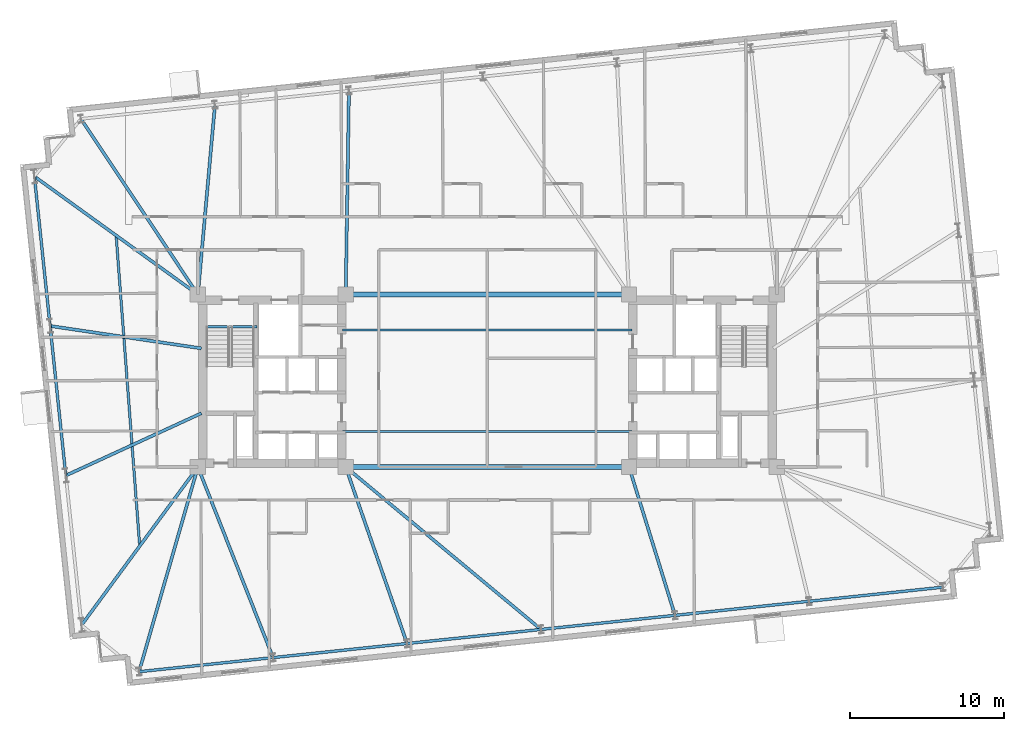
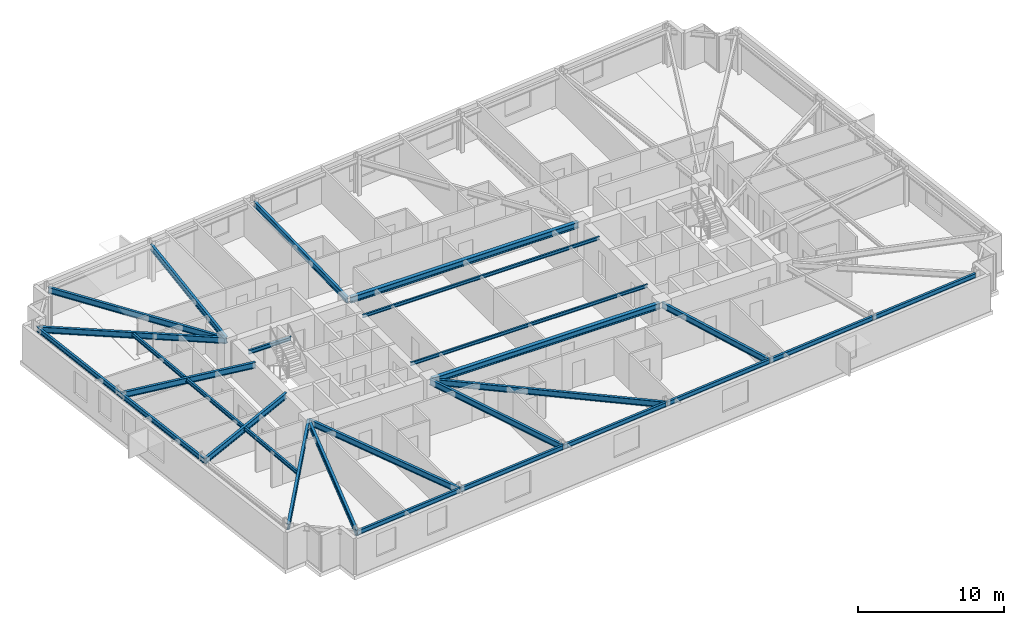
# One storey, part 5 of 19: 26 beams.
"""IFC4 building model written with IfcOpenShell, lengths in metres."""

from ifc_helpers import new_model, si_unit, direction, frame, origin, origin_2d, place, context, subcontext, project, spatial, i_section, extrude, material, material_profile, profile_set, type_object, element, save


model = new_model("IFC4")

# Units and contexts
model_context = context("Model", 3, precision=1e-05, world=origin(), true_north=direction((0.0, 1.0)))
body_context = subcontext(model_context, "Body", "Model", "MODEL_VIEW")
ifc_project = project(units=[si_unit("LENGTHUNIT", "METRE"), si_unit("AREAUNIT", "SQUARE_METRE"), si_unit("VOLUMEUNIT", "CUBIC_METRE"), si_unit("PLANEANGLEUNIT", "RADIAN"), si_unit("MASSUNIT", "GRAM", prefix="KILO")], contexts=[model_context])

# Site, building, storey
site_placement = place(None, origin())
site = spatial("IfcSite", under=ifc_project, at=site_placement, CompositionType="ELEMENT")
building_placement = place(site_placement, origin())
building = spatial("IfcBuilding", under=site, at=building_placement, Name="Qobustan Lattice House", CompositionType="ELEMENT")
storey_placement = place(building_placement, frame((0.0, 0.0, 82.35009765625)))
storey = spatial("IfcBuildingStorey", under=building, at=storey_placement, Name="L22", CompositionType="ELEMENT", Elevation=82.35009765625)

# Beams
ifc_material_1 = material(Name="Steel S355", Category="steel")
ifc_material_profile_1 = material_profile(ifc_material_1, i_section(OverallWidth=0.300048828125, OverallDepth=0.5, WebThickness=0.014404296875, FlangeThickness=0.028076171875, FilletRadius=0.027099609375, at=origin_2d()), Name="HEB500")
ifc_profile_set_1 = profile_set([ifc_material_profile_1], Name="Steel S355")
beam_type_1 = type_object("IfcBeamType", Name="BM-CG-HEB500", PredefinedType="USERDEFINED", material=ifc_profile_set_1)
for number, where, z_axis, x_axis, name in (
    (1, (-9.050048828125, -5.60009765625, 2.794921875), (1.0, 0.0, 0.0), (0.0, 1.0, 0.0), "L22 core spine girder CG-CS"),
    (2, (-9.050048828125, 5.60009765625, 2.794921875), (1.0, 0.0, 0.0), (0.0, 1.0, 0.0), "L22 core spine girder CG-CN"),
):
    element("IfcBeam", number, at=place(storey_placement, frame(where, z_axis=z_axis, x_axis=x_axis)), inside=storey, type_object=beam_type_1, Name=name, ObjectType="GIRDER", PredefinedType="USERDEFINED", context=body_context, shape_type="SweptSolid", body=[
        extrude(i_section(OverallWidth=0.300048828125, OverallDepth=0.5, WebThickness=0.014404296875, FlangeThickness=0.028076171875, FilletRadius=0.027099609375, at=origin_2d()), origin(), (0.0, 0.0, 1.0), 18.10009765625),
    ])
ifc_material_2 = material(Name="Steel S355", Category="steel")
ifc_material_profile_2 = material_profile(ifc_material_2, i_section(OverallWidth=0.199951171875, OverallDepth=0.5, WebThickness=0.01025390625, FlangeThickness=0.01611328125, FilletRadius=0.02099609375, at=origin_2d()), Name="IPE500")
ifc_profile_set_2 = profile_set([ifc_material_profile_2], Name="Steel S355")
beam_type_2 = type_object("IfcBeamType", Name="BM-FLG-IPE500", PredefinedType="USERDEFINED", material=ifc_profile_set_2)
beam_1_placement = place(storey_placement, frame((-22.612548828125, -18.87109375, 2.794921875), z_axis=(0.276115177845, 0.961124554136, 0.0), x_axis=(-0.961124554136, 0.276115177845, 0.0)))
element("IfcBeam", 3, at=beam_1_placement, inside=storey, type_object=beam_type_2, Name="L22 primary floor girder RAD-S1W", ObjectType="GIRDER", PredefinedType="USERDEFINED", context=body_context, shape_type="SweptSolid", body=[
    extrude(i_section(OverallWidth=0.199951171875, OverallDepth=0.5, WebThickness=0.01025390625, FlangeThickness=0.01611328125, FilletRadius=0.02099609375, at=origin_2d()), origin(), (0.0, 0.0, 1.0), 13.782958984375),
])
beam_2_placement = place(storey_placement, frame((-13.926513671875, -17.95703125, 2.794921875), z_axis=(-0.366884358141, 0.930266557365, 0.0), x_axis=(-0.930266557365, -0.366884358141, 0.0)))
element("IfcBeam", 4, at=beam_2_placement, inside=storey, type_object=beam_type_2, Name="L22 primary floor girder RAD-S2", ObjectType="GIRDER", PredefinedType="USERDEFINED", context=body_context, shape_type="SweptSolid", body=[
    extrude(i_section(OverallWidth=0.199951171875, OverallDepth=0.5, WebThickness=0.01025390625, FlangeThickness=0.01611328125, FilletRadius=0.02099609375, at=origin_2d()), origin(), (0.0, 0.0, 1.0), 13.25830078125),
])
beam_3_placement = place(storey_placement, frame((-5.223388671875, -17.0419921875, 2.794921875), z_axis=(-0.328289533586, 0.94457714462, 0.0), x_axis=(-0.94457714462, -0.328289533586, 0.0)))
element("IfcBeam", 5, at=beam_3_placement, inside=storey, type_object=beam_type_2, Name="L22 primary floor girder RAD-S3", ObjectType="GIRDER", PredefinedType="USERDEFINED", context=body_context, shape_type="SweptSolid", body=[
    extrude(i_section(OverallWidth=0.199951171875, OverallDepth=0.5, WebThickness=0.01025390625, FlangeThickness=0.01611328125, FilletRadius=0.02099609375, at=origin_2d()), origin(), (0.0, 0.0, 1.0), 12.08837890625),
])
beam_4_placement = place(storey_placement, frame((3.467529296875, -16.135009765625, 2.794921875), z_axis=(-0.768858311844, 0.639419186691, 0.0), x_axis=(-0.639419186691, -0.768858311844, 0.0)))
element("IfcBeam", 6, at=beam_4_placement, inside=storey, type_object=beam_type_2, Name="L22 primary floor girder RAD-S4", ObjectType="GIRDER", PredefinedType="USERDEFINED", context=body_context, shape_type="SweptSolid", body=[
    extrude(i_section(OverallWidth=0.199951171875, OverallDepth=0.5, WebThickness=0.01025390625, FlangeThickness=0.01611328125, FilletRadius=0.02099609375, at=origin_2d()), origin(), (0.0, 0.0, 1.0), 16.450927734375),
])
beam_5_placement = place(storey_placement, frame((12.181396484375, -15.212646484375, 2.794921875), z_axis=(-0.296219460995, 0.955119903953, 0.0), x_axis=(-0.955119903953, -0.296219460995, 0.0)))
element("IfcBeam", 7, at=beam_5_placement, inside=storey, type_object=beam_type_2, Name="L22 primary floor girder RAD-S5", ObjectType="GIRDER", PredefinedType="USERDEFINED", context=body_context, shape_type="SweptSolid", body=[
    extrude(i_section(OverallWidth=0.199951171875, OverallDepth=0.5, WebThickness=0.01025390625, FlangeThickness=0.01611328125, FilletRadius=0.02099609375, at=origin_2d()), origin(), (0.0, 0.0, 1.0), 10.03955078125),
])
beam_6_placement = place(storey_placement, frame((-26.37890625, 16.986328125, 2.794921875), z_axis=(0.5540893103, -0.832457227857, 0.0), x_axis=(0.832457227857, 0.5540893103, 0.0)))
element("IfcBeam", 8, at=beam_6_placement, inside=storey, type_object=beam_type_2, Name="L22 primary floor girder RAD-N7W", ObjectType="GIRDER", PredefinedType="USERDEFINED", context=body_context, shape_type="SweptSolid", body=[
    extrude(i_section(OverallWidth=0.199951171875, OverallDepth=0.5, WebThickness=0.01025390625, FlangeThickness=0.01611328125, FilletRadius=0.02099609375, at=origin_2d()), origin(), (0.0, 0.0, 1.0), 13.65283203125),
])
beam_7_placement = place(storey_placement, frame((-17.693115234375, 17.89697265625, 2.794921875), z_axis=(-0.089658533603, -0.995972563554, 0.0), x_axis=(0.995972563554, -0.089658533603, 0.0)))
element("IfcBeam", 9, at=beam_7_placement, inside=storey, type_object=beam_type_2, Name="L22 primary floor girder RAD-N6", ObjectType="GIRDER", PredefinedType="USERDEFINED", context=body_context, shape_type="SweptSolid", body=[
    extrude(i_section(OverallWidth=0.199951171875, OverallDepth=0.5, WebThickness=0.01025390625, FlangeThickness=0.01611328125, FilletRadius=0.02099609375, at=origin_2d()), origin(), (0.0, 0.0, 1.0), 12.321533203125),
])
beam_8_placement = place(storey_placement, frame((-8.9892578125, 18.8115234375, 2.794921875), z_axis=(-0.015957384359, -0.999872672836, 0.0), x_axis=(0.999872672836, -0.015957384359, 0.0)))
element("IfcBeam", 10, at=beam_8_placement, inside=storey, type_object=beam_type_2, Name="L22 primary floor girder RAD-N5", ObjectType="GIRDER", PredefinedType="USERDEFINED", context=body_context, shape_type="SweptSolid", body=[
    extrude(i_section(OverallWidth=0.199951171875, OverallDepth=0.5, WebThickness=0.01025390625, FlangeThickness=0.01611328125, FilletRadius=0.02099609375, at=origin_2d()), origin(), (0.0, 0.0, 1.0), 13.188232421875),
])
beam_9_placement = place(storey_placement, frame((-29.398681640625, 13.255859375, 2.794921875), z_axis=(0.810627425394, -0.585562274399, 0.0), x_axis=(0.585562274399, 0.810627425394, 0.0)))
element("IfcBeam", 11, at=beam_9_placement, inside=storey, type_object=beam_type_2, Name="L22 primary floor girder RAD-W1", ObjectType="GIRDER", PredefinedType="USERDEFINED", context=body_context, shape_type="SweptSolid", body=[
    extrude(i_section(OverallWidth=0.199951171875, OverallDepth=0.5, WebThickness=0.01025390625, FlangeThickness=0.01611328125, FilletRadius=0.02099609375, at=origin_2d()), origin(), (0.0, 0.0, 1.0), 13.049560546875),
])
beam_10_placement = place(storey_placement, frame((-28.373291015625, 3.5537109375, 2.794921875), z_axis=(0.989228195022, -0.146381618294, 0.0), x_axis=(0.146381618294, 0.989228195022, 0.0)))
element("IfcBeam", 12, at=beam_10_placement, inside=storey, type_object=beam_type_2, Name="L22 primary floor girder RAD-W2", ObjectType="GIRDER", PredefinedType="USERDEFINED", context=body_context, shape_type="SweptSolid", body=[
    extrude(i_section(OverallWidth=0.199951171875, OverallDepth=0.5, WebThickness=0.01025390625, FlangeThickness=0.01611328125, FilletRadius=0.02099609375, at=origin_2d()), origin(), (0.0, 0.0, 1.0), 9.9052734375),
])
beam_11_placement = place(storey_placement, frame((-27.3544921875, -6.1455078125, 2.794921875), z_axis=(0.908664928826, 0.417526103521, 0.0), x_axis=(-0.417526103521, 0.908664928826, 0.0)))
element("IfcBeam", 13, at=beam_11_placement, inside=storey, type_object=beam_type_2, Name="L22 primary floor girder RAD-W3", ObjectType="GIRDER", PredefinedType="USERDEFINED", context=body_context, shape_type="SweptSolid", body=[
    extrude(i_section(OverallWidth=0.199951171875, OverallDepth=0.5, WebThickness=0.01025390625, FlangeThickness=0.01611328125, FilletRadius=0.02099609375, at=origin_2d()), origin(), (0.0, 0.0, 1.0), 9.66455078125),
])
beam_12_placement = place(storey_placement, frame((-26.34130859375, -15.848876953125, 2.794921875), z_axis=(0.592669703312, 0.805445605101, 0.0), x_axis=(-0.805445605101, 0.592669703312, 0.0)))
element("IfcBeam", 14, at=beam_12_placement, inside=storey, type_object=beam_type_2, Name="L22 primary floor girder RAD-W4", ObjectType="GIRDER", PredefinedType="USERDEFINED", context=body_context, shape_type="SweptSolid", body=[
    extrude(i_section(OverallWidth=0.199951171875, OverallDepth=0.5, WebThickness=0.01025390625, FlangeThickness=0.01611328125, FilletRadius=0.02099609375, at=origin_2d()), origin(), (0.0, 0.0, 1.0), 12.699462890625),
])
ifc_material_3 = material(Name="Steel S355", Category="steel")
ifc_material_profile_3 = material_profile(ifc_material_3, i_section(OverallWidth=0.135009765625, OverallDepth=0.27001953125, WebThickness=0.006591796875, FlangeThickness=0.01025390625, FilletRadius=0.014892578125, at=origin_2d()), Name="IPE270")
ifc_profile_set_3 = profile_set([ifc_material_profile_3], Name="Steel S355")
beam_type_3 = type_object("IfcBeamType", Name="BM-JST-IPE270", PredefinedType="JOIST", material=ifc_profile_set_3)
for number, where, z_axis, x_axis, name in (
    (15, (-9.39990234375, -3.300048828125, 2.909912109375), (1.0, 0.0, 0.0), (0.0, 1.0, 0.0), "L22 central span floor joist 1"),
    (16, (-9.39990234375, 3.300048828125, 2.909912109375), (1.0, 0.0, 0.0), (0.0, 1.0, 0.0), "L22 central span floor joist 2"),
):
    element("IfcBeam", number, at=place(storey_placement, frame(where, z_axis=z_axis, x_axis=x_axis)), inside=storey, type_object=beam_type_3, Name=name, PredefinedType="JOIST", context=body_context, shape_type="SweptSolid", body=[
        extrude(i_section(OverallWidth=0.135009765625, OverallDepth=0.27001953125, WebThickness=0.006591796875, FlangeThickness=0.01025390625, FilletRadius=0.014892578125, at=origin_2d()), origin(), (0.0, 0.0, 1.0), 18.7998046875),
    ])
ifc_material_4 = material(Name="Steel S355", Category="steel")
ifc_material_profile_4 = material_profile(ifc_material_4, i_section(OverallWidth=0.159912109375, OverallDepth=0.330078125, WebThickness=0.007568359375, FlangeThickness=0.011474609375, FilletRadius=0.01806640625, at=origin_2d()), Name="IPE330")
ifc_profile_set_4 = profile_set([ifc_material_profile_4], Name="Steel S355")
beam_type_4 = type_object("IfcBeamType", Name="BM-SEC-IPE330", PredefinedType="BEAM", material=ifc_profile_set_4)
beam_13_placement = place(storey_placement, frame((-24.109619140625, 9.435302734375, 2.8798828125), z_axis=(0.07571166528, -0.997129752711, 0.0), x_axis=(0.997129752711, 0.07571166528, 0.0)))
element("IfcBeam", 17, at=beam_13_placement, inside=storey, type_object=beam_type_4, Name="L22 west wing secondary beam", PredefinedType="BEAM", context=body_context, shape_type="SweptSolid", body=[
    extrude(i_section(OverallWidth=0.159912109375, OverallDepth=0.330078125, WebThickness=0.007568359375, FlangeThickness=0.011474609375, FilletRadius=0.01806640625, at=origin_2d()), origin(), (0.0, 0.0, 1.0), 20.22802734375),
])
ifc_material_5 = material(Name="Steel S355", Category="steel")
ifc_material_profile_5 = material_profile(ifc_material_5, i_section(OverallWidth=0.159912109375, OverallDepth=0.330078125, WebThickness=0.007568359375, FlangeThickness=0.011474609375, FilletRadius=0.01806640625, at=origin_2d()), Name="IPE330")
ifc_profile_set_5 = profile_set([ifc_material_profile_5], Name="Steel S355")
beam_type_5 = type_object("IfcBeamType", Name="BM-SPD-IPE330", PredefinedType="SPANDREL", material=ifc_profile_set_5)
beam_14_placement = place(storey_placement, frame((-18.300048828125, 3.52001953125, 2.8798828125), z_axis=(1.0, 0.0, 0.0), x_axis=(0.0, 1.0, 0.0)))
element("IfcBeam", 18, at=beam_14_placement, inside=storey, type_object=beam_type_5, Name="L22 west stair landing trimmer beam", PredefinedType="SPANDREL", context=body_context, shape_type="SweptSolid", body=[
    extrude(i_section(OverallWidth=0.159912109375, OverallDepth=0.330078125, WebThickness=0.007568359375, FlangeThickness=0.011474609375, FilletRadius=0.01806640625, at=origin_2d()), origin(), (0.0, 0.0, 1.0), 3.35009765625),
])
ifc_material_6 = material(Name="Steel S355", Category="steel")
ifc_material_profile_6 = material_profile(ifc_material_6, i_section(OverallWidth=0.179931640625, OverallDepth=0.39990234375, WebThickness=0.008544921875, FlangeThickness=0.013427734375, FilletRadius=0.02099609375, at=origin_2d()), Name="IPE400")
ifc_profile_set_6 = profile_set([ifc_material_profile_6], Name="Steel S355")
beam_type_6 = type_object("IfcBeamType", Name="BM-SPD-IPE400", PredefinedType="SPANDREL", material=ifc_profile_set_6)
beam_15_placement = place(storey_placement, frame((-22.594482421875, -18.892333984375, 2.844970703125), z_axis=(0.994521279781, 0.10453432002, 0.0), x_axis=(-0.10453432002, 0.994521279781, 0.0)))
element("IfcBeam", 19, at=beam_15_placement, inside=storey, type_object=beam_type_6, Name="L22 perimeter spandrel S1-S2", PredefinedType="SPANDREL", context=body_context, shape_type="SweptSolid", body=[
    extrude(i_section(OverallWidth=0.179931640625, OverallDepth=0.39990234375, WebThickness=0.008544921875, FlangeThickness=0.013427734375, FilletRadius=0.02099609375, at=origin_2d()), origin(), (0.0, 0.0, 1.0), 8.69970703125),
])
for number, where, z_axis, x_axis, name in (
    (20, (-13.892578125, -17.977783203125, 2.844970703125), (0.994521586424, 0.104531402636, 0.0), (-0.104531402636, 0.994521586424, 0.0), "L22 perimeter spandrel S2-S3"),
    (21, (-5.1904296875, -17.06298828125, 2.844970703125), (0.994524503348, 0.104503647022, 0.0), (-0.104503647022, 0.994524503348, 0.0), "L22 perimeter spandrel S3-S4"),
):
    element("IfcBeam", number, at=place(storey_placement, frame(where, z_axis=z_axis, x_axis=x_axis)), inside=storey, type_object=beam_type_6, Name=name, PredefinedType="SPANDREL", context=body_context, shape_type="SweptSolid", body=[
        extrude(i_section(OverallWidth=0.179931640625, OverallDepth=0.39990234375, WebThickness=0.008544921875, FlangeThickness=0.013427734375, FilletRadius=0.02099609375, at=origin_2d()), origin(), (0.0, 0.0, 1.0), 8.699951171875),
    ])
beam_16_placement = place(storey_placement, frame((3.51171875, -16.1484375, 2.844970703125), z_axis=(0.994521279781, 0.10453432002, 0.0), x_axis=(-0.10453432002, 0.994521279781, 0.0)))
element("IfcBeam", 22, at=beam_16_placement, inside=storey, type_object=beam_type_6, Name="L22 perimeter spandrel S4-S5", PredefinedType="SPANDREL", context=body_context, shape_type="SweptSolid", body=[
    extrude(i_section(OverallWidth=0.179931640625, OverallDepth=0.39990234375, WebThickness=0.008544921875, FlangeThickness=0.013427734375, FilletRadius=0.02099609375, at=origin_2d()), origin(), (0.0, 0.0, 1.0), 8.69970703125),
])
for number, where, z_axis, x_axis, name in (
    (23, (12.213623046875, -15.23388671875, 2.844970703125), (0.994521586424, 0.104531402636, 0.0), (-0.104531402636, 0.994521586424, 0.0), "L22 perimeter spandrel S5-S6"),
    (24, (20.915771484375, -14.3193359375, 2.844970703125), (0.994521586424, 0.104531402636, 0.0), (-0.104531402636, 0.994521586424, 0.0), "L22 perimeter spandrel S6-S7"),
):
    element("IfcBeam", number, at=place(storey_placement, frame(where, z_axis=z_axis, x_axis=x_axis)), inside=storey, type_object=beam_type_6, Name=name, PredefinedType="SPANDREL", context=body_context, shape_type="SweptSolid", body=[
        extrude(i_section(OverallWidth=0.179931640625, OverallDepth=0.39990234375, WebThickness=0.008544921875, FlangeThickness=0.013427734375, FilletRadius=0.02099609375, at=origin_2d()), origin(), (0.0, 0.0, 1.0), 8.699951171875),
    ])
beam_17_placement = place(storey_placement, frame((-29.416259765625, 13.24560546875, 2.844970703125), z_axis=(0.104525214252, -0.994522236848, 0.0), x_axis=(0.994522236848, 0.104525214252, 0.0)))
element("IfcBeam", 25, at=beam_17_placement, inside=storey, type_object=beam_type_6, Name="L22 perimeter spandrel W1-W2", PredefinedType="SPANDREL", context=body_context, shape_type="SweptSolid", body=[
    extrude(i_section(OverallWidth=0.179931640625, OverallDepth=0.39990234375, WebThickness=0.008544921875, FlangeThickness=0.013427734375, FilletRadius=0.02099609375, at=origin_2d()), origin(), (0.0, 0.0, 1.0), 9.716552734375),
])
beam_18_placement = place(storey_placement, frame((-28.3955078125, 3.532470703125, 2.844970703125), z_axis=(0.104547453407, -0.994519899241, 0.0), x_axis=(0.994519899241, 0.104547453407, 0.0)))
element("IfcBeam", 26, at=beam_18_placement, inside=storey, type_object=beam_type_6, Name="L22 perimeter spandrel W2-W3", PredefinedType="SPANDREL", context=body_context, shape_type="SweptSolid", body=[
    extrude(i_section(OverallWidth=0.179931640625, OverallDepth=0.39990234375, WebThickness=0.008544921875, FlangeThickness=0.013427734375, FilletRadius=0.02099609375, at=origin_2d()), origin(), (0.0, 0.0, 1.0), 9.716796875),
])

save(model, "model.ifc")
